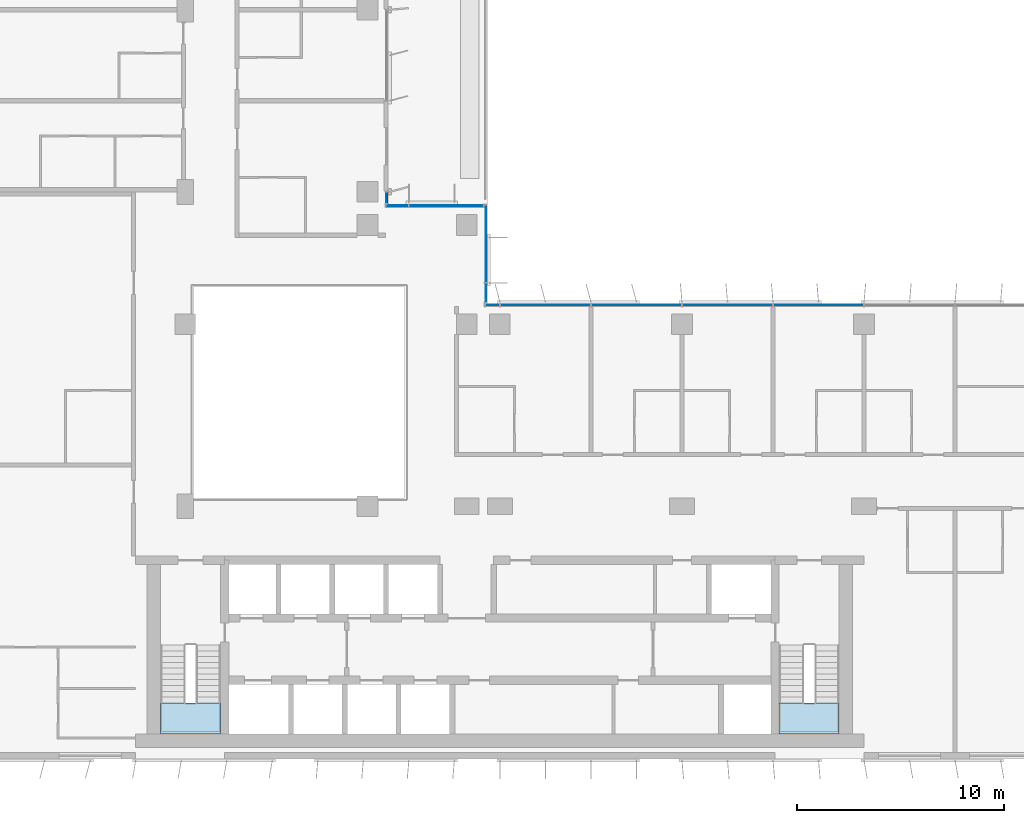
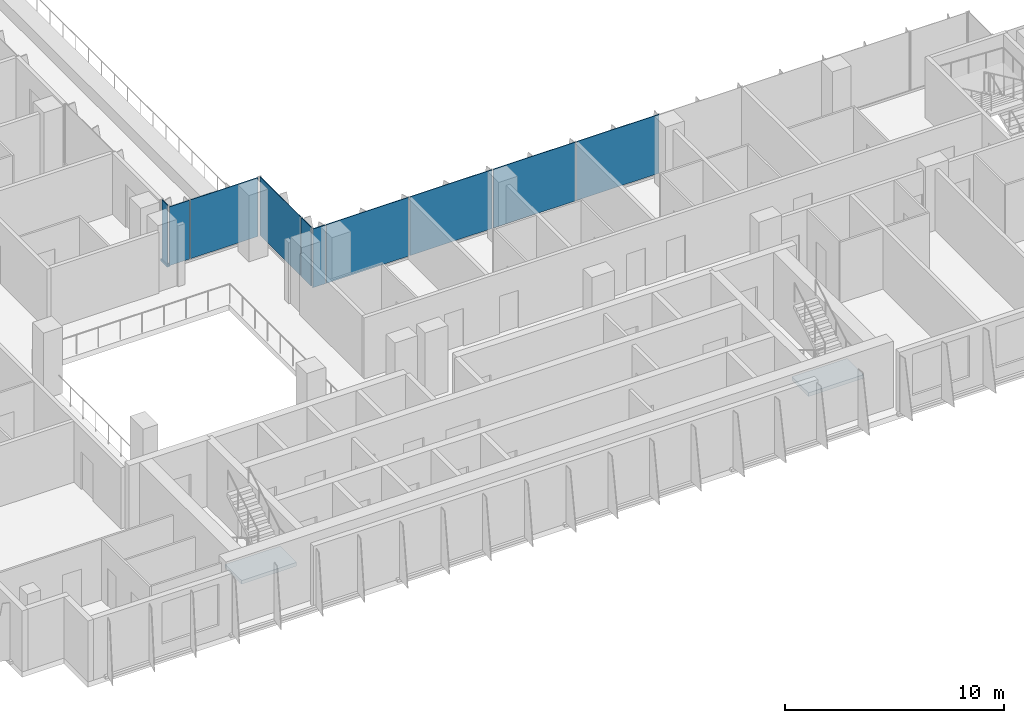
# One storey, part 9 of 22: 10 plates, 2 slabs, 1 member, 6 elements without a shape of their own.
"""IFC4 building model written with IfcOpenShell, lengths in metres."""

import ifcopenshell
import ifcopenshell.guid

model = None  # the IFC model being written
_history = None  # IfcOwnerHistory: only IFC2X3 demands one
_inside = {}  # id of a spatial element -> (the spatial element, [elements in it])
_under = {}  # id of a project, library or spatial element -> (it, [spatial elements below it])
_declared = {}  # id of a project -> (the project, [libraries it declares])
_typed = {}  # id of a type object -> (the type object, [elements of that type])
_made_of = {}  # id of a material, layer set ... -> (it, [elements and type objects made of it])


def new_model(schema):
    """Start an empty IFC model of exactly this schema.

    Asked for "IFC4X3", IfcOpenShell would pick the latest addendum, in which some entities
    have other attributes; the version numbers below select the first issue.
    IFC2X3 requires an IfcOwnerHistory on every rooted entity: one is made here for all.
    """
    global model, _history
    if schema == "IFC4X3":
        model = ifcopenshell.file(schema_version=(4, 3, 0, 0))
    else:
        model = ifcopenshell.file(schema=schema)
    _inside.clear()
    _under.clear()
    _declared.clear()
    _typed.clear()
    _made_of.clear()
    _history = None
    if model.schema == "IFC2X3":
        org = make("IfcOrganization", Name="unknown")
        user = make(
            "IfcPersonAndOrganization",
            ThePerson=make("IfcPerson", FamilyName="unknown"),
            TheOrganization=org,
        )
        app = make(
            "IfcApplication",
            ApplicationDeveloper=org,
            Version="unknown",
            ApplicationFullName="unknown",
            ApplicationIdentifier="unknown",
        )
        _history = make(
            "IfcOwnerHistory",
            OwningUser=user,
            OwningApplication=app,
            ChangeAction="ADDED",
            CreationDate=0,
        )
    return model


def make(cls, **values):
    """One entity of the class cls with the attributes given. An attribute that is None is left unset."""
    return model.create_entity(
        cls, **{name: value for name, value in values.items() if value is not None}
    )


def rooted(cls, **values):
    """An entity with a GlobalId (a new one), such as an element, a storey or a relation."""
    return make(cls, GlobalId=ifcopenshell.guid.new(), OwnerHistory=_history, **values)


def si_unit(unit_type, name, prefix=None):
    """IfcSIUnit, for example si_unit("LENGTHUNIT", "METRE", prefix="MILLI")."""
    return make("IfcSIUnit", UnitType=unit_type, Prefix=prefix, Name=name)


def assignment(units):
    """IfcUnitAssignment: the units of a project."""
    return None if units is None else make("IfcUnitAssignment", Units=units)


def point(xyz):
    """IfcCartesianPoint."""
    return None if xyz is None else make("IfcCartesianPoint", Coordinates=xyz)


def direction(xyz):
    """IfcDirection."""
    return None if xyz is None else make("IfcDirection", DirectionRatios=xyz)


def frame(location, z_axis=None, x_axis=None):
    """IfcAxis2Placement3D, a coordinate frame: its origin and axes. An axis left out is left unset."""
    return make(
        "IfcAxis2Placement3D",
        Location=point(location),
        Axis=direction(z_axis),
        RefDirection=direction(x_axis),
    )


def frame_2d(location, x_axis=None):
    """IfcAxis2Placement2D, a coordinate frame in the plane: its origin and x axis."""
    return make(
        "IfcAxis2Placement2D", Location=point(location), RefDirection=direction(x_axis)
    )


def origin():
    """The frame at (0, 0, 0) with its axes left unset."""
    return frame((0.0, 0.0, 0.0))


def origin_2d():
    """The frame at (0, 0) in the plane with its x axis left unset."""
    return frame_2d((0.0, 0.0))


def place(relative_to, where):
    """IfcLocalPlacement: puts the frame where relative to a parent placement (None: the world)."""
    return make(
        "IfcLocalPlacement", PlacementRelTo=relative_to, RelativePlacement=where
    )


def context(
    kind, dimensions, precision=None, world=None, true_north=None, identifier=None
):
    """IfcGeometricRepresentationContext, for example the 3D "Model" context."""
    return make(
        "IfcGeometricRepresentationContext",
        ContextIdentifier=identifier,
        ContextType=kind,
        CoordinateSpaceDimension=dimensions,
        Precision=precision,
        WorldCoordinateSystem=world,
        TrueNorth=true_north,
    )


def subcontext(parent, identifier, kind, view, scale=None):
    """IfcGeometricRepresentationSubContext, for example "Body" below "Model"."""
    return make(
        "IfcGeometricRepresentationSubContext",
        ContextIdentifier=identifier,
        ContextType=kind,
        ParentContext=parent,
        TargetScale=scale,
        TargetView=view,
    )


def project(units=None, contexts=None):
    """IfcProject with its units and contexts."""
    return rooted(
        "IfcProject",
        Name="project",
        RepresentationContexts=contexts,
        UnitsInContext=assignment(units),
    )


def spatial(cls, under=None, at=None, **own):
    """A site, building, storey or space (cls), placed at a placement, below another one or the project."""
    s = rooted(cls, ObjectPlacement=at, **own)
    if under is not None:
        _under.setdefault(under.id(), (under, []))[1].append(s)
    return s


def polyline(points):
    """IfcPolyline through the points."""
    return make("IfcPolyline", Points=[point(p) for p in points])


def profile(cls, at=None, kind="AREA", **sizes):
    """A parametric profile (cls). Its sizes go by their IFC names, for example OverallWidth=200.0."""
    return make(cls, ProfileType=kind, Position=at, **sizes)


def rectangle(**sizes):
    """IfcRectangleProfileDef."""
    return profile("IfcRectangleProfileDef", **sizes)


def outline(outer, holes=None, kind="AREA"):
    """IfcArbitraryClosedProfileDef: a profile drawn as a closed curve; with holes, ...WithVoids."""
    if holes is None:
        return make("IfcArbitraryClosedProfileDef", ProfileType=kind, OuterCurve=outer)
    return make(
        "IfcArbitraryProfileDefWithVoids",
        ProfileType=kind,
        OuterCurve=outer,
        InnerCurves=holes,
    )


def extrude(swept, where, along, depth):
    """IfcExtrudedAreaSolid: the profile swept, set in the frame where, extruded along a direction by depth."""
    return make(
        "IfcExtrudedAreaSolid",
        SweptArea=swept,
        Position=where,
        ExtrudedDirection=direction(along),
        Depth=depth,
    )


def shape(context_of_items, identifier, shape_type, items):
    """IfcShapeRepresentation: the items that make up one representation, for example the "Body"."""
    return make(
        "IfcShapeRepresentation",
        ContextOfItems=context_of_items,
        RepresentationIdentifier=identifier,
        RepresentationType=shape_type,
        Items=items,
    )


def source(mapping_origin, context_of_items, identifier, shape_type, items):
    """IfcRepresentationMap: a shape defined once, which mapped items show again and again."""
    return make(
        "IfcRepresentationMap",
        MappingOrigin=mapping_origin,
        MappedRepresentation=shape(context_of_items, identifier, shape_type, items),
    )


def transform(
    local_origin,
    x_axis=None,
    y_axis=None,
    z_axis=None,
    scale=None,
    scale2=None,
    scale3=None,
    uniform=True,
):
    """IfcCartesianTransformationOperator3D, or its non-uniform kind. x_axis, y_axis, z_axis: its Axis1, 2, 3."""
    if uniform:
        return make(
            "IfcCartesianTransformationOperator3D",
            Axis1=direction(x_axis),
            Axis2=direction(y_axis),
            LocalOrigin=point(local_origin),
            Scale=scale,
            Axis3=direction(z_axis),
        )
    return make(
        "IfcCartesianTransformationOperator3DnonUniform",
        Axis1=direction(x_axis),
        Axis2=direction(y_axis),
        LocalOrigin=point(local_origin),
        Scale=scale,
        Axis3=direction(z_axis),
        Scale2=scale2,
        Scale3=scale3,
    )


def mapped(mapping_source, mapping_target):
    """IfcMappedItem: shows the shape of a source again, moved by a transform."""
    return make(
        "IfcMappedItem", MappingSource=mapping_source, MappingTarget=mapping_target
    )


def material(Name=None, Category=None):
    """IfcMaterial."""
    return make("IfcMaterial", Name=Name, Category=Category)


def layer(
    of_material, thickness, ventilated=None, Name=None, Category=None, Priority=None
):
    """IfcMaterialLayer: one layer of a wall or slab, of a material (None: an air gap)."""
    return make(
        "IfcMaterialLayer",
        Material=of_material,
        LayerThickness=thickness,
        IsVentilated=ventilated,
        Name=Name,
        Category=Category,
        Priority=Priority,
    )


def layer_set(layers, Name=None):
    """IfcMaterialLayerSet."""
    return make("IfcMaterialLayerSet", MaterialLayers=layers, LayerSetName=Name)


def material_profile(
    of_material, cross_section, Name=None, Category=None, Priority=None
):
    """IfcMaterialProfile: a cross section and its material."""
    return make(
        "IfcMaterialProfile",
        Name=Name,
        Material=of_material,
        Profile=cross_section,
        Priority=Priority,
        Category=Category,
    )


def profile_set(profiles, Name=None, composite=None):
    """IfcMaterialProfileSet."""
    return make(
        "IfcMaterialProfileSet",
        Name=Name,
        MaterialProfiles=profiles,
        CompositeProfile=composite,
    )


def made_of(thing, what):
    """Note that an element or type object is made of a material, layer set ...; save() writes the relation."""
    if what is not None:
        _made_of.setdefault(what.id(), (what, []))[1].append(thing)
    return thing


def type_object(cls, material=None, **own):
    """A type object (cls), such as IfcWallType, which elements share."""
    return made_of(rooted(cls, **own), material)


def element(
    cls,
    number,
    at=None,
    inside=None,
    cuts=None,
    type_object=None,
    material=None,
    context=None,
    identifier="Body",
    shape_type=None,
    held_by="IfcProductDefinitionShape",
    body=None,
    shapes=None,
    **own,
):
    """One element of the class cls, such as IfcWall. Its Tag is "e" and its number.

    at: its placement. inside: the storey or other place that contains it. cuts: it is an
    opening in that element (IfcRelVoidsElement). A single representation is given by context,
    identifier, shape_type and body (its items); several are given by shapes. held_by: the class
    of the entity that holds the representations. save() writes the other relations.
    """
    e = rooted(cls, Tag="e%d" % number, ObjectPlacement=at, **own)
    if body is not None:
        shapes = [shape(context, identifier, shape_type, body)]
    if shapes is not None:
        e.Representation = make(held_by, Representations=shapes)
    if inside is not None:
        _inside.setdefault(inside.id(), (inside, []))[1].append(e)
    if cuts is not None:
        rooted(
            "IfcRelVoidsElement", RelatingBuildingElement=cuts, RelatedOpeningElement=e
        )
    if type_object is not None:
        _typed.setdefault(type_object.id(), (type_object, []))[1].append(e)
    return made_of(e, material)


def aggregate(whole, parts):
    """IfcRelAggregates: a whole, such as a stair, and the parts it consists of."""
    return rooted("IfcRelAggregates", RelatingObject=whole, RelatedObjects=parts)


def save(model, path):
    """Write the relations noted so far, then the file.

    IfcRelAggregates (storeys below a building ...), IfcRelContainedInSpatialStructure (elements
    in a storey), IfcRelDefinesByType, IfcRelAssociatesMaterial and IfcRelDeclares: one each for
    every whole, place, type object, material and project.
    """
    for whole, parts in _under.values():
        aggregate(whole, parts)
    for where, things in _inside.values():
        rooted(
            "IfcRelContainedInSpatialStructure",
            RelatedElements=things,
            RelatingStructure=where,
        )
    for kind, things in _typed.values():
        rooted("IfcRelDefinesByType", RelatedObjects=things, RelatingType=kind)
    for what, things in _made_of.values():
        rooted("IfcRelAssociatesMaterial", RelatedObjects=things, RelatingMaterial=what)
    for by, libraries in _declared.values():
        rooted("IfcRelDeclares", RelatingContext=by, RelatedDefinitions=libraries)
    model.write(path)


model = new_model("IFC4")

# Units and contexts
model_context = context("Model", 3, precision=1e-05, world=origin(), true_north=direction((0.0, 1.0)))
body_context = subcontext(model_context, "Body", "Model", "MODEL_VIEW")
ifc_project = project(units=[si_unit("LENGTHUNIT", "METRE"), si_unit("AREAUNIT", "SQUARE_METRE"), si_unit("VOLUMEUNIT", "CUBIC_METRE"), si_unit("PLANEANGLEUNIT", "RADIAN"), si_unit("MASSUNIT", "GRAM", prefix="KILO")], contexts=[model_context])

# Site, building, storey
site_placement = place(None, origin())
site = spatial("IfcSite", under=ifc_project, at=site_placement, CompositionType="ELEMENT")
building_placement = place(site_placement, origin())
building = spatial("IfcBuilding", under=site, at=building_placement, Name="Kemantara Hotel Tower", CompositionType="ELEMENT")
storey_placement = place(building_placement, frame((0.0, 0.0, 153.10009765625)))
storey = spatial("IfcBuildingStorey", under=building, at=storey_placement, Name="L37", CompositionType="ELEMENT", Elevation=153.10009765625)

# Curtain wall, member
ifc_material_1 = material(Name="Toughened tinted glass 32 mm", Category="glass")
curtain_wall_type_1 = type_object("IfcCurtainWallType", Name="TERRACE GLAZING WALL", PredefinedType="USERDEFINED", material=ifc_material_1)
curtain_wall_1_placement = place(storey_placement, origin())
curtain_wall_1 = element("IfcCurtainWall", 1, at=curtain_wall_1_placement, inside=storey, type_object=curtain_wall_type_1, Name="CW6 L37 T3-R17-1", ObjectType="TERRACE GLAZING WALL", PredefinedType="USERDEFINED")
ifc_material_2 = material(Name="Aluminium 6063-T6 bronze anodised", Category="aluminium")
ifc_material_profile = material_profile(ifc_material_2, rectangle(XDim=0.14990234375, YDim=0.1201171875, at=origin_2d()), Name="TERRACE GLAZING WALL TRANSOM")
ifc_profile_set = profile_set([ifc_material_profile], Name="Aluminium 6063-T6 bronze anodised")
member_type = type_object("IfcMemberType", Name="TERRACE GLAZING WALL TRANSOM", PredefinedType="USERDEFINED", material=ifc_profile_set)
member_placement = place(storey_placement, frame((21.925048828125, 26.800048828125, 0.059814453125), z_axis=(0.0, 1.0, 0.0), x_axis=(-1.0, 0.0, 0.0)))
member = element("IfcMember", 2, at=member_placement, type_object=member_type, Name="CW6 sill transom T3-R17-1", ObjectType="TRANSOM", PredefinedType="USERDEFINED", context=body_context, shape_type="SweptSolid", body=[
    extrude(rectangle(XDim=0.14990234375, YDim=0.1201171875, at=origin_2d()), origin(), (0.0, 0.0, 1.0), 0.599853515625),
])

# Stair, slab
ifc_material_3 = material(Name="Concrete fc 40 MPa", Category="concrete")
stair_type = type_object("IfcStairType", Name="Stair 1200 wide 22 risers of 168 x 280 mm", PredefinedType="HALF_TURN_STAIR", material=ifc_material_3)
stair_1_placement = place(storey_placement, origin())
stair_1 = element("IfcStair", 3, at=stair_1_placement, inside=storey, type_object=stair_type, Name="L37 Exit stair ST1", PredefinedType="HALF_TURN_STAIR")
ifc_layer_1 = layer(ifc_material_3, 0.199951171875)
ifc_layer_set_1 = layer_set([ifc_layer_1], Name="Concrete fc 40 MPa")
slab_type = type_object("IfcSlabType", Name="Stair landing 200 mm", PredefinedType="LANDING", material=ifc_layer_set_1)
slab_1_placement = place(storey_placement, frame((0.0, 0.0, 1.64990234375)))
slab_1 = element("IfcSlab", 4, at=slab_1_placement, type_object=slab_type, Name="ST1 landing 1", PredefinedType="LANDING", context=body_context, shape_type="SweptSolid", body=[
    extrude(outline(polyline([(11.0, 2.699951171875), (11.0, 1.199951171875), (13.89990234375, 1.199951171875), (13.89990234375, 2.699951171875), (11.0, 2.699951171875)])), origin(), (0.0, 0.0, 1.0), 0.199951171875),
])
aggregate(stair_1, [slab_1])

stair_2_placement = place(storey_placement, origin())
stair_2 = element("IfcStair", 5, at=stair_2_placement, inside=storey, type_object=stair_type, Name="L37 Exit stair ST2", PredefinedType="HALF_TURN_STAIR")
slab_2_placement = place(storey_placement, frame((0.0, 0.0, 1.64990234375)))
slab_2 = element("IfcSlab", 6, at=slab_2_placement, type_object=slab_type, Name="ST2 landing 1", PredefinedType="LANDING", context=body_context, shape_type="SweptSolid", body=[
    extrude(outline(polyline([(40.89990234375, 2.699951171875), (40.89990234375, 1.199951171875), (43.800048828125, 1.199951171875), (43.800048828125, 2.699951171875), (40.89990234375, 2.699951171875)])), origin(), (0.0, 0.0, 1.0), 0.199951171875),
])
aggregate(stair_2, [slab_2])

# Curtain wall, plates
ifc_material_4 = material(Name="Low-E tinted double insulated glass 36 mm", Category="glass")
curtain_wall_type_2 = type_object("IfcCurtainWallType", Name="TOWER CURTAIN WALL, FRONT FACES", PredefinedType="USERDEFINED", material=ifc_material_4)
curtain_wall_2_placement = place(storey_placement, origin())
curtain_wall_2 = element("IfcCurtainWall", 7, at=curtain_wall_2_placement, inside=storey, type_object=curtain_wall_type_2, Name="CW4 L37 T3-R14-1", ObjectType="TOWER CURTAIN WALL, FRONT FACES", PredefinedType="USERDEFINED")
ifc_layer_2 = layer(ifc_material_4, 0.035888671875)
ifc_layer_set_2 = layer_set([ifc_layer_2], Name="Low-E tinted double insulated glass 36 mm")
plate_type_1 = type_object("IfcPlateType", Name="TOWER CURTAIN WALL, FRONT FACES PANEL", PredefinedType="CURTAIN_PANEL", material=ifc_layer_set_2)
shared_shape_1 = source(origin(), body_context, "Body", "SweptSolid", [
    extrude(rectangle(XDim=4.340087890625, YDim=0.035888671875, at=origin_2d()), origin(), (0.0, 0.0, 1.0), 3.280029296875),
])
plate_1_placement = place(storey_placement, frame((42.800048828125, 21.925048828125, 0.1201171875), z_axis=(0.0, 0.0, 1.0), x_axis=(-1.0, 0.0, 0.0)))
plate_1 = element("IfcPlate", 8, at=plate_1_placement, type_object=plate_type_1, Name="CW4 glass panel T3-R14-1.5", PredefinedType="CURTAIN_PANEL", context=body_context, shape_type="MappedRepresentation", body=[
    mapped(shared_shape_1, transform((0.0, 0.0, 0.0))),
])
plate_2_placement = place(storey_placement, frame((38.39990234375, 21.925048828125, 0.1201171875), z_axis=(0.0, 0.0, 1.0), x_axis=(-1.0, 0.0, 0.0)))
plate_2 = element("IfcPlate", 9, at=plate_2_placement, type_object=plate_type_1, Name="CW4 glass panel T3-R14-1.6", PredefinedType="CURTAIN_PANEL", context=body_context, shape_type="MappedRepresentation", body=[
    mapped(shared_shape_1, transform((0.0, 0.0, 0.0))),
])
plate_3_placement = place(storey_placement, frame((34.0, 21.925048828125, 0.1201171875), z_axis=(0.0, 0.0, 1.0), x_axis=(-1.0, 0.0, 0.0)))
plate_3 = element("IfcPlate", 10, at=plate_3_placement, type_object=plate_type_1, Name="CW4 glass panel T3-R14-1.7", PredefinedType="CURTAIN_PANEL", context=body_context, shape_type="MappedRepresentation", body=[
    mapped(shared_shape_1, transform((0.0, 0.0, 0.0))),
])
plate_4_placement = place(storey_placement, frame((29.60009765625, 21.925048828125, 0.1201171875), z_axis=(0.0, 0.0, 1.0), x_axis=(-1.0, 0.0, 0.0)))
plate_4 = element("IfcPlate", 11, at=plate_4_placement, type_object=plate_type_1, Name="CW4 glass panel T3-R14-1.8", PredefinedType="CURTAIN_PANEL", context=body_context, shape_type="MappedRepresentation", body=[
    mapped(shared_shape_1, transform((0.0, 0.0, 0.0))),
])

# Plate
ifc_layer_3 = layer(ifc_material_1, 0.031982421875)
ifc_layer_set_3 = layer_set([ifc_layer_3], Name="Toughened tinted glass 32 mm")
plate_type_2 = type_object("IfcPlateType", Name="TERRACE GLAZING WALL PANEL", PredefinedType="CURTAIN_PANEL", material=ifc_layer_set_3)
shared_shape_2 = source(origin(), body_context, "Body", "SweptSolid", [
    extrude(rectangle(XDim=0.510009765625, YDim=0.031982421875, at=origin_2d()), origin(), (0.0, 0.0, 1.0), 3.280029296875),
])
plate_5_placement = place(storey_placement, frame((21.925048828125, 27.114990234375, 0.1201171875), z_axis=(0.0, 0.0, 1.0), x_axis=(0.0, 1.0, 0.0)))
plate_5 = element("IfcPlate", 12, at=plate_5_placement, type_object=plate_type_2, Name="CW6 glass panel T3-R17-1.1", PredefinedType="CURTAIN_PANEL", context=body_context, shape_type="MappedRepresentation", body=[
    mapped(shared_shape_2, transform((0.0, 0.0, 0.0))),
])

aggregate(curtain_wall_1, [member, plate_5])

shared_shape_3 = source(origin(), body_context, "Body", "SweptSolid", [
    extrude(rectangle(XDim=0.659912109375, YDim=0.035888671875, at=origin_2d()), origin(), (0.0, 0.0, 1.0), 3.280029296875),
])
plate_6_placement = place(storey_placement, frame((27.0400390625, 21.925048828125, 0.1201171875), z_axis=(0.0, 0.0, 1.0), x_axis=(-1.0, 0.0, 0.0)))
plate_6 = element("IfcPlate", 13, at=plate_6_placement, type_object=plate_type_1, Name="CW4 glass panel T3-R14-1.9", PredefinedType="CURTAIN_PANEL", context=body_context, shape_type="MappedRepresentation", body=[
    mapped(shared_shape_3, transform((0.0, 0.0, 0.0))),
])

aggregate(curtain_wall_2, [plate_1, plate_2, plate_3, plate_4, plate_6])

# Curtain wall, plates
curtain_wall_3_placement = place(storey_placement, origin())
curtain_wall_3 = element("IfcCurtainWall", 14, at=curtain_wall_3_placement, inside=storey, type_object=curtain_wall_type_2, Name="CW4 L37 T3-R15-1", ObjectType="TOWER CURTAIN WALL, FRONT FACES", PredefinedType="USERDEFINED")
shared_shape_4 = source(origin(), body_context, "Body", "SweptSolid", [
    extrude(rectangle(XDim=0.909912109375, YDim=0.035888671875, at=origin_2d()), origin(), (0.0, 0.0, 1.0), 3.280029296875),
])
plate_7_placement = place(storey_placement, frame((26.72509765625, 22.514892578125, 0.1201171875), z_axis=(0.0, 0.0, 1.0), x_axis=(0.0, 1.0, 0.0)))
plate_7 = element("IfcPlate", 15, at=plate_7_placement, type_object=plate_type_1, Name="CW4 glass panel T3-R15-1.1", PredefinedType="CURTAIN_PANEL", context=body_context, shape_type="MappedRepresentation", body=[
    mapped(shared_shape_4, transform((0.0, 0.0, 0.0))),
])
shared_shape_5 = source(origin(), body_context, "Body", "SweptSolid", [
    extrude(rectangle(XDim=3.7099609375, YDim=0.035888671875, at=origin_2d()), origin(), (0.0, 0.0, 1.0), 3.280029296875),
])
plate_8_placement = place(storey_placement, frame((26.72509765625, 24.885009765625, 0.1201171875), z_axis=(0.0, 0.0, 1.0), x_axis=(0.0, 1.0, 0.0)))
plate_8 = element("IfcPlate", 16, at=plate_8_placement, type_object=plate_type_1, Name="CW4 glass panel T3-R15-1.2", PredefinedType="CURTAIN_PANEL", context=body_context, shape_type="MappedRepresentation", body=[
    mapped(shared_shape_5, transform((0.0, 0.0, 0.0))),
])
aggregate(curtain_wall_3, [plate_7, plate_8])

curtain_wall_4_placement = place(storey_placement, origin())
curtain_wall_4 = element("IfcCurtainWall", 17, at=curtain_wall_4_placement, inside=storey, type_object=curtain_wall_type_2, Name="CW4 L37 T3-R16-1", ObjectType="TOWER CURTAIN WALL, FRONT FACES", PredefinedType="USERDEFINED")
shared_shape_6 = source(origin(), body_context, "Body", "SweptSolid", [
    extrude(rectangle(XDim=3.56005859375, YDim=0.035888671875, at=origin_2d()), origin(), (0.0, 0.0, 1.0), 3.280029296875),
])
plate_9_placement = place(storey_placement, frame((24.81005859375, 26.72509765625, 0.1201171875), z_axis=(0.0, 0.0, 1.0), x_axis=(-1.0, 0.0, 0.0)))
plate_9 = element("IfcPlate", 18, at=plate_9_placement, type_object=plate_type_1, Name="CW4 glass panel T3-R16-1.1", PredefinedType="CURTAIN_PANEL", context=body_context, shape_type="MappedRepresentation", body=[
    mapped(shared_shape_6, transform((0.0, 0.0, 0.0))),
])
shared_shape_7 = source(origin(), body_context, "Body", "SweptSolid", [
    extrude(rectangle(XDim=1.06005859375, YDim=0.035888671875, at=origin_2d()), origin(), (0.0, 0.0, 1.0), 3.280029296875),
])
plate_10_placement = place(storey_placement, frame((22.43994140625, 26.72509765625, 0.1201171875), z_axis=(0.0, 0.0, 1.0), x_axis=(-1.0, 0.0, 0.0)))
plate_10 = element("IfcPlate", 19, at=plate_10_placement, type_object=plate_type_1, Name="CW4 glass panel T3-R16-1.2", PredefinedType="CURTAIN_PANEL", context=body_context, shape_type="MappedRepresentation", body=[
    mapped(shared_shape_7, transform((0.0, 0.0, 0.0))),
])
aggregate(curtain_wall_4, [plate_9, plate_10])

save(model, "model.ifc")
